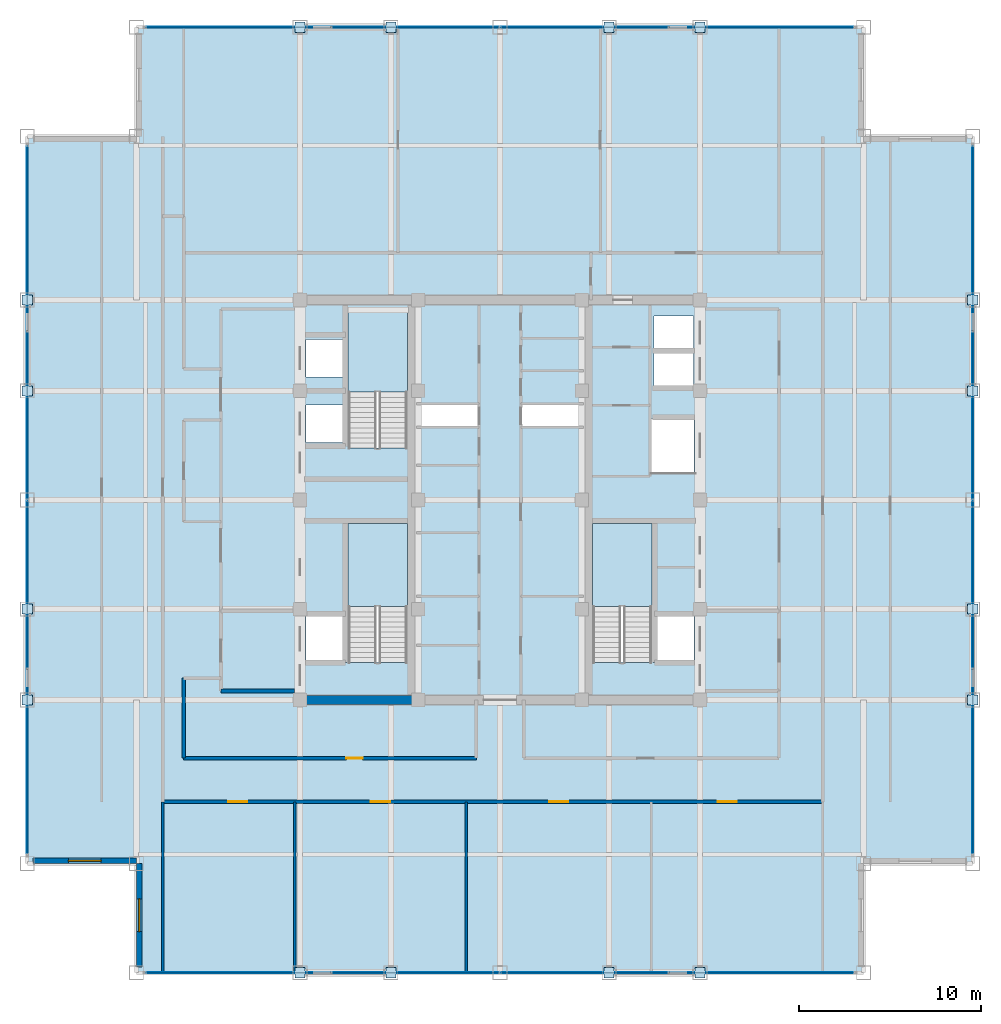
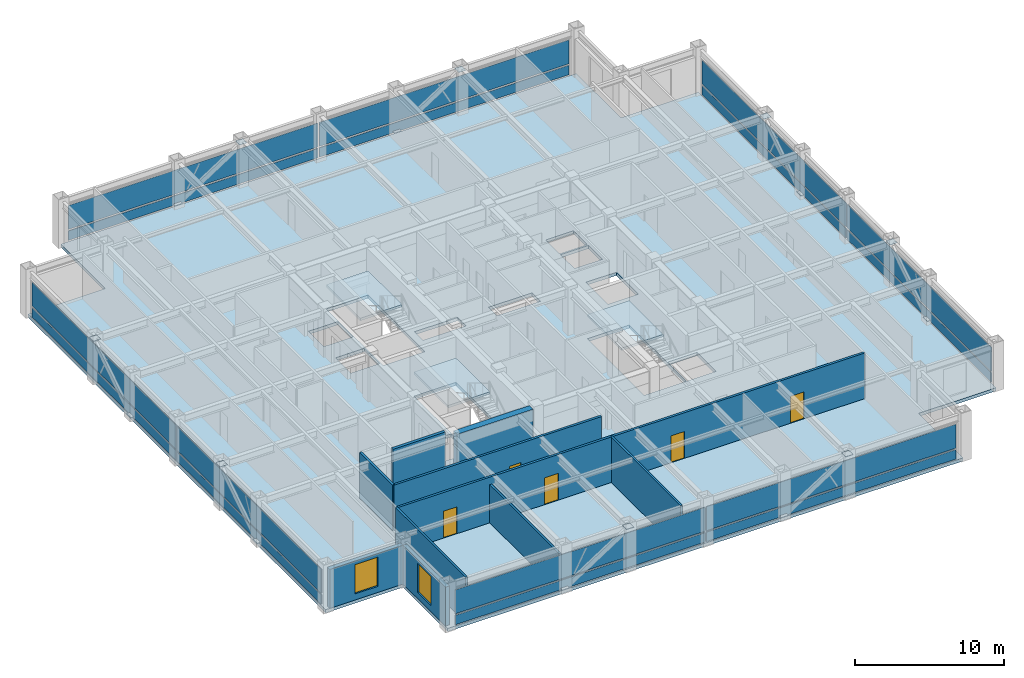
# One storey, part 23 of 28: 32 plates, 10 walls, 5 doors, 4 slabs, 2 windows, 7 openings, 7 elements without a shape of their own.
"""IFC4 building model written with IfcOpenShell, lengths in metres."""

from ifc_helpers import new_model, si_unit, direction, frame, frame_2d, origin, origin_2d, place, context, subcontext, project, spatial, polyline, rectangle, outline, extrude, source, transform, mapped, material, layer, layer_set, type_object, element, fill, aggregate, save


model = new_model("IFC4")

# Units and contexts
model_context = context("Model", 3, precision=1e-05, world=origin(), true_north=direction((0.0, 1.0)))
body_context = subcontext(model_context, "Body", "Model", "MODEL_VIEW")
ifc_project = project(units=[si_unit("LENGTHUNIT", "METRE"), si_unit("AREAUNIT", "SQUARE_METRE"), si_unit("VOLUMEUNIT", "CUBIC_METRE"), si_unit("PLANEANGLEUNIT", "RADIAN"), si_unit("MASSUNIT", "GRAM", prefix="KILO")], contexts=[model_context])

# Site, building, storey
site_placement = place(None, origin())
site = spatial("IfcSite", under=ifc_project, at=site_placement, CompositionType="ELEMENT")
building_placement = place(site_placement, origin())
building = spatial("IfcBuilding", under=site, at=building_placement, Name="Khorayat Bourse Tower", CompositionType="ELEMENT")
storey_placement = place(building_placement, frame((0.0, 0.0, 330.300048828125)))
storey = spatial("IfcBuildingStorey", under=building, at=storey_placement, Name="L78", CompositionType="ELEMENT", Elevation=330.300048828125)

# Stair, slab
ifc_material_1 = material(Name="Concrete C40/50", Category="concrete")
stair_type = type_object("IfcStairType", Name="STR-CORE-1550", PredefinedType="HALF_TURN_STAIR", material=ifc_material_1)
stair_1_placement = place(storey_placement, origin())
stair_1 = element("IfcStair", 1, at=stair_1_placement, inside=storey, type_object=stair_type, Name="L78 Exit Stair ST-1", PredefinedType="HALF_TURN_STAIR")
ifc_layer_1 = layer(ifc_material_1, 0.199951171875)
ifc_layer_set_1 = layer_set([ifc_layer_1], Name="Concrete C40/50")
slab_type_1 = type_object("IfcSlabType", Name="SLB-LANDING-200", PredefinedType="LANDING", material=ifc_layer_set_1)
slab_1_placement = place(storey_placement, frame((0.0, 0.0, 1.800048828125)))
slab_1 = element("IfcSlab", 2, at=slab_1_placement, type_object=slab_type_1, Name="ST-1 landing 1", PredefinedType="LANDING", context=body_context, shape_type="SweptSolid", body=[
    extrude(outline(polyline([(-5.10009765625, -5.8701171875), (-5.10009765625, -1.300048828125), (-8.35009765625, -1.300048828125), (-8.35009765625, -5.8701171875), (-5.10009765625, -5.8701171875)])), origin(), (0.0, 0.0, 1.0), 0.199951171875),
])
aggregate(stair_1, [slab_1])

stair_2_placement = place(storey_placement, origin())
stair_2 = element("IfcStair", 3, at=stair_2_placement, inside=storey, type_object=stair_type, Name="L78 Exit Stair ST-2", PredefinedType="HALF_TURN_STAIR")
slab_2_placement = place(storey_placement, frame((0.0, 0.0, 1.800048828125)))
slab_2 = element("IfcSlab", 4, at=slab_2_placement, type_object=slab_type_1, Name="ST-2 landing 1", PredefinedType="LANDING", context=body_context, shape_type="SweptSolid", body=[
    extrude(outline(polyline([(-5.10009765625, 5.929931640625), (-5.10009765625, 10.5), (-8.35009765625, 10.5), (-8.35009765625, 5.929931640625), (-5.10009765625, 5.929931640625)])), origin(), (0.0, 0.0, 1.0), 0.199951171875),
])
aggregate(stair_2, [slab_2])

stair_3_placement = place(storey_placement, origin())
stair_3 = element("IfcStair", 5, at=stair_3_placement, inside=storey, type_object=stair_type, Name="L78 Exit Stair ST-3", PredefinedType="HALF_TURN_STAIR")
slab_3_placement = place(storey_placement, frame((0.0, 0.0, 1.800048828125)))
slab_3 = element("IfcSlab", 6, at=slab_3_placement, type_object=slab_type_1, Name="ST-3 landing 1", PredefinedType="LANDING", context=body_context, shape_type="SweptSolid", body=[
    extrude(outline(polyline([(8.35009765625, -5.8701171875), (8.35009765625, -1.300048828125), (5.10009765625, -1.300048828125), (5.10009765625, -5.8701171875), (8.35009765625, -5.8701171875)])), origin(), (0.0, 0.0, 1.0), 0.199951171875),
])
aggregate(stair_3, [slab_3])

# Slab
ifc_layer_2 = layer(ifc_material_1, 0.219970703125)
ifc_layer_set_2 = layer_set([ifc_layer_2], Name="Concrete C40/50")
slab_type_2 = type_object("IfcSlabType", Name="SLB-OFFICE-220", PredefinedType="FLOOR", material=ifc_layer_set_2)
slab_4_placement = place(storey_placement, frame((0.0, 0.0, -0.260009765625)))
element("IfcSlab", 7, at=slab_4_placement, inside=storey, type_object=slab_type_2, Name="L78 Main Floor Slab", PredefinedType="FLOOR", context=body_context, shape_type="SweptSolid", body=[
    extrude(outline(polyline([(-20.0, -26.0), (20.0, -26.0), (20.0, -20.0), (26.0, -20.0), (26.0, 20.0), (20.0, 20.0), (20.0, 26.0), (-20.0, 26.0), (-20.0, 20.0), (-26.0, 20.0), (-26.0, -20.0), (-20.0, -20.0), (-20.0, -26.0)]), holes=[polyline([(-8.35009765625, -8.945068359375), (-5.10009765625, -8.945068359375), (-5.10009765625, -1.300048828125), (-8.35009765625, -1.300048828125), (-8.35009765625, -8.945068359375)]), polyline([(-8.35009765625, 2.85498046875), (-5.10009765625, 2.85498046875), (-5.10009765625, 10.5), (-8.35009765625, 10.5), (-8.35009765625, 2.85498046875)]), polyline([(5.10009765625, -8.945068359375), (8.35009765625, -8.945068359375), (8.35009765625, -1.300048828125), (5.10009765625, -1.300048828125), (5.10009765625, -8.945068359375)]), polyline([(-10.679931640625, 3.169921875), (-8.419921875, 3.169921875), (-8.419921875, 5.22998046875), (-10.679931640625, 5.22998046875), (-10.679931640625, 3.169921875)]), polyline([(-10.679931640625, 6.77001953125), (-8.419921875, 6.77001953125), (-8.419921875, 8.830078125), (-10.679931640625, 8.830078125), (-10.679931640625, 6.77001953125)]), polyline([(8.469970703125, 6.27001953125), (10.6298828125, 6.27001953125), (10.6298828125, 8.1298828125), (8.469970703125, 8.1298828125), (8.469970703125, 6.27001953125)]), polyline([(8.469970703125, 8.27001953125), (10.6298828125, 8.27001953125), (10.6298828125, 10.1298828125), (8.469970703125, 10.1298828125), (8.469970703125, 8.27001953125)]), polyline([(-10.679931640625, -8.929931640625), (-8.419921875, -8.929931640625), (-8.419921875, -6.3701171875), (-10.679931640625, -6.3701171875), (-10.679931640625, -8.929931640625)]), polyline([(8.419921875, -8.929931640625), (10.679931640625, -8.929931640625), (10.679931640625, -6.3701171875), (8.419921875, -6.3701171875), (8.419921875, -8.929931640625)]), polyline([(8.320068359375, 1.52001953125), (10.679931640625, 1.52001953125), (10.679931640625, 4.47998046875), (8.320068359375, 4.47998046875), (8.320068359375, 1.52001953125)]), polyline([(-4.56005859375, 4.080078125), (-1.18994140625, 4.080078125), (-1.18994140625, 5.219970703125), (-4.56005859375, 5.219970703125), (-4.56005859375, 4.080078125)]), polyline([(1.18994140625, 4.080078125), (4.56005859375, 4.080078125), (4.56005859375, 5.219970703125), (1.18994140625, 5.219970703125), (1.18994140625, 4.080078125)])]), origin(), (0.0, 0.0, 1.0), 0.260009765625),
])

# Plates
ifc_material_2 = material(Name="Steel EN 10025-2 S355J2", Category="steel")
ifc_layer_3 = layer(ifc_material_2, 0.02490234375)
ifc_layer_set_3 = layer_set([ifc_layer_3], Name="Steel EN 10025-2 S355J2")
plate_type_1 = type_object("IfcPlateType", Name="PLT-ENDCAP-25", PredefinedType="SHEET", material=ifc_layer_set_3)
shared_shape_1 = source(origin(), body_context, "Body", "SweptSolid", [
    extrude(rectangle(XDim=0.56005859375, YDim=0.56005859375, at=origin_2d()), origin(), (0.0, 0.0, 1.0), 0.02490234375),
])
for number, where, z_axis, x_axis, name in (
    (8, (-11.0, -26.0, 0.237548828125), (0.0, 0.0, 1.0), (1.0, 0.0, 0.0), "L78 Perimeter Brace End Plate 001"),
    (9, (-6.0, -26.0, 3.4775390625), (0.0, 0.0, 1.0), (1.0, 0.0, 0.0), "L78 Perimeter Brace End Plate 002"),
    (10, (6.0, -26.0, 0.237548828125), (0.0, 0.0, 1.0), (1.0, 0.0, 0.0), "L78 Perimeter Brace End Plate 003"),
    (11, (11.0, -26.0, 3.4775390625), (0.0, 0.0, 1.0), (1.0, 0.0, 0.0), "L78 Perimeter Brace End Plate 004"),
    (12, (-11.0, 26.0, 0.237548828125), (0.0, 0.0, 1.0), (1.0, 0.0, 0.0), "L78 Perimeter Brace End Plate 005"),
    (13, (-6.0, 26.0, 3.4775390625), (0.0, 0.0, 1.0), (1.0, 0.0, 0.0), "L78 Perimeter Brace End Plate 006"),
    (14, (6.0, 26.0, 0.237548828125), (0.0, 0.0, 1.0), (1.0, 0.0, 0.0), "L78 Perimeter Brace End Plate 007"),
    (15, (11.0, 26.0, 3.4775390625), (0.0, 0.0, 1.0), (1.0, 0.0, 0.0), "L78 Perimeter Brace End Plate 008"),
    (16, (-26.0, -11.0, 0.237548828125), (0.0, 0.0, 1.0), (1.0, 0.0, 0.0), "L78 Perimeter Brace End Plate 009"),
    (17, (-26.0, -6.0, 3.4775390625), (0.0, 0.0, 1.0), (1.0, 0.0, 0.0), "L78 Perimeter Brace End Plate 010"),
    (18, (-26.0, 6.0, 0.237548828125), (0.0, 0.0, 1.0), (1.0, 0.0, 0.0), "L78 Perimeter Brace End Plate 011"),
    (19, (-26.0, 11.0, 3.4775390625), (0.0, 0.0, 1.0), (1.0, 0.0, 0.0), "L78 Perimeter Brace End Plate 012"),
    (20, (26.0, -11.0, 0.237548828125), (0.0, 0.0, 1.0), (1.0, 0.0, 0.0), "L78 Perimeter Brace End Plate 013"),
    (21, (26.0, -6.0, 3.4775390625), (0.0, 0.0, 1.0), (1.0, 0.0, 0.0), "L78 Perimeter Brace End Plate 014"),
    (22, (26.0, 6.0, 0.237548828125), (0.0, 0.0, 1.0), (1.0, 0.0, 0.0), "L78 Perimeter Brace End Plate 015"),
    (23, (26.0, 11.0, 3.4775390625), (0.0, 0.0, 1.0), (1.0, 0.0, 0.0), "L78 Perimeter Brace End Plate 016"),
):
    element("IfcPlate", number, at=place(storey_placement, frame(where, z_axis=z_axis, x_axis=x_axis)), inside=storey, type_object=plate_type_1, Name=name, PredefinedType="SHEET", context=body_context, shape_type="MappedRepresentation", body=[
        mapped(shared_shape_1, transform((0.0, 0.0, 0.0), scale=1.0)),
    ])

# Curtain wall, plates
ifc_material_3 = material(Name="Aluminium EN AW-6063 T6", Category="aluminium")
curtain_wall_type = type_object("IfcCurtainWallType", Name="CW-SYS-04", PredefinedType="NOTDEFINED", material=ifc_material_3)
curtain_wall_1_placement = place(storey_placement, origin())
curtain_wall_1 = element("IfcCurtainWall", 24, at=curtain_wall_1_placement, inside=storey, type_object=curtain_wall_type, Name="L78 Curtain Wall CW-L78-S1", PredefinedType="NOTDEFINED")
ifc_material_4 = material(Name="Honed desert limestone insulated spandrel", Category="masonry")
ifc_layer_4 = layer(ifc_material_4, 0.06494140625)
ifc_layer_set_4 = layer_set([ifc_layer_4], Name="Honed desert limestone insulated spandrel")
plate_type_2 = type_object("IfcPlateType", Name="CWP-SPAND-03", PredefinedType="CURTAIN_PANEL", material=ifc_layer_set_4)
shared_shape_2 = source(origin(), body_context, "Body", "SweptSolid", [
    extrude(rectangle(XDim=19.3701171875, YDim=0.06494140625, at=origin_2d()), origin(), (0.0, 0.0, 1.0), 0.77001953125),
])
plate_1_placement = place(storey_placement, frame((-9.7451171875, -26.0, 0.119873046875), z_axis=(0.0, 0.0, 1.0), x_axis=(1.0, 0.0, 0.0)))
plate_1 = element("IfcPlate", 25, at=plate_1_placement, type_object=plate_type_2, Name="CW-L78-S1 Spandrel Panel 1-1", PredefinedType="CURTAIN_PANEL", context=body_context, shape_type="MappedRepresentation", body=[
    mapped(shared_shape_2, transform((0.0, 0.0, 0.0), scale=1.0)),
])
plate_2_placement = place(storey_placement, frame((9.7451171875, -26.0, 0.119873046875), z_axis=(0.0, 0.0, 1.0), x_axis=(1.0, 0.0, 0.0)))
plate_2 = element("IfcPlate", 26, at=plate_2_placement, type_object=plate_type_2, Name="CW-L78-S1 Spandrel Panel 2-1", PredefinedType="CURTAIN_PANEL", context=body_context, shape_type="MappedRepresentation", body=[
    mapped(shared_shape_2, transform((0.0, 0.0, 0.0), scale=1.0)),
])

curtain_wall_2_placement = place(storey_placement, origin())
curtain_wall_2 = element("IfcCurtainWall", 27, at=curtain_wall_2_placement, inside=storey, type_object=curtain_wall_type, Name="L78 Curtain Wall CW-L78-N1", PredefinedType="NOTDEFINED")
plate_3_placement = place(storey_placement, frame((-9.7451171875, 26.0, 0.119873046875), z_axis=(0.0, 0.0, 1.0), x_axis=(1.0, 0.0, 0.0)))
plate_3 = element("IfcPlate", 28, at=plate_3_placement, type_object=plate_type_2, Name="CW-L78-N1 Spandrel Panel 1-1", PredefinedType="CURTAIN_PANEL", context=body_context, shape_type="MappedRepresentation", body=[
    mapped(shared_shape_2, transform((0.0, 0.0, 0.0), scale=1.0)),
])
plate_4_placement = place(storey_placement, frame((9.7451171875, 26.0, 0.119873046875), z_axis=(0.0, 0.0, 1.0), x_axis=(1.0, 0.0, 0.0)))
plate_4 = element("IfcPlate", 29, at=plate_4_placement, type_object=plate_type_2, Name="CW-L78-N1 Spandrel Panel 2-1", PredefinedType="CURTAIN_PANEL", context=body_context, shape_type="MappedRepresentation", body=[
    mapped(shared_shape_2, transform((0.0, 0.0, 0.0), scale=1.0)),
])

curtain_wall_3_placement = place(storey_placement, origin())
curtain_wall_3 = element("IfcCurtainWall", 30, at=curtain_wall_3_placement, inside=storey, type_object=curtain_wall_type, Name="L78 Curtain Wall CW-L78-W1", PredefinedType="NOTDEFINED")
plate_5_placement = place(storey_placement, frame((-26.0, -9.7451171875, 0.119873046875), z_axis=(0.0, 0.0, 1.0), x_axis=(0.0, 1.0, 0.0)))
plate_5 = element("IfcPlate", 31, at=plate_5_placement, type_object=plate_type_2, Name="CW-L78-W1 Spandrel Panel 1-1", PredefinedType="CURTAIN_PANEL", context=body_context, shape_type="MappedRepresentation", body=[
    mapped(shared_shape_2, transform((0.0, 0.0, 0.0), scale=1.0)),
])
plate_6_placement = place(storey_placement, frame((-26.0, 9.7451171875, 0.119873046875), z_axis=(0.0, 0.0, 1.0), x_axis=(0.0, 1.0, 0.0)))
plate_6 = element("IfcPlate", 32, at=plate_6_placement, type_object=plate_type_2, Name="CW-L78-W1 Spandrel Panel 2-1", PredefinedType="CURTAIN_PANEL", context=body_context, shape_type="MappedRepresentation", body=[
    mapped(shared_shape_2, transform((0.0, 0.0, 0.0), scale=1.0)),
])

curtain_wall_4_placement = place(storey_placement, origin())
curtain_wall_4 = element("IfcCurtainWall", 33, at=curtain_wall_4_placement, inside=storey, type_object=curtain_wall_type, Name="L78 Curtain Wall CW-L78-E1", PredefinedType="NOTDEFINED")
plate_7_placement = place(storey_placement, frame((26.0, -9.7451171875, 0.119873046875), z_axis=(0.0, 0.0, 1.0), x_axis=(0.0, 1.0, 0.0)))
plate_7 = element("IfcPlate", 34, at=plate_7_placement, type_object=plate_type_2, Name="CW-L78-E1 Spandrel Panel 1-1", PredefinedType="CURTAIN_PANEL", context=body_context, shape_type="MappedRepresentation", body=[
    mapped(shared_shape_2, transform((0.0, 0.0, 0.0), scale=1.0)),
])
plate_8_placement = place(storey_placement, frame((26.0, 9.7451171875, 0.119873046875), z_axis=(0.0, 0.0, 1.0), x_axis=(0.0, 1.0, 0.0)))
plate_8 = element("IfcPlate", 35, at=plate_8_placement, type_object=plate_type_2, Name="CW-L78-E1 Spandrel Panel 2-1", PredefinedType="CURTAIN_PANEL", context=body_context, shape_type="MappedRepresentation", body=[
    mapped(shared_shape_2, transform((0.0, 0.0, 0.0), scale=1.0)),
])

# Plate
ifc_material_5 = material(Name="Low-E solar-control laminated double glazing", Category="glass")
ifc_layer_5 = layer(ifc_material_5, 0.0419921875)
ifc_layer_set_5 = layer_set([ifc_layer_5], Name="Low-E solar-control laminated double glazing")
plate_type_3 = type_object("IfcPlateType", Name="CWP-FACET-02", PredefinedType="CURTAIN_PANEL", material=ifc_layer_set_5)
shared_shape_3 = source(origin(), body_context, "Body", "SweptSolid", [
    extrude(rectangle(XDim=19.3701171875, YDim=0.0419921875, at=origin_2d()), origin(), (0.0, 0.0, 1.0), 1.9599609375),
])
plate_9_placement = place(storey_placement, frame((-9.7451171875, -26.0, 1.010009765625), z_axis=(0.0, 0.0, 1.0), x_axis=(1.0, 0.0, 0.0)))
plate_9 = element("IfcPlate", 36, at=plate_9_placement, type_object=plate_type_3, Name="CW-L78-S1 Vision Panel 1-2", PredefinedType="CURTAIN_PANEL", context=body_context, shape_type="MappedRepresentation", body=[
    mapped(shared_shape_3, transform((0.0, 0.0, 0.0), scale=1.0)),
])

plate_10_placement = place(storey_placement, frame((9.7451171875, -26.0, 1.010009765625), z_axis=(0.0, 0.0, 1.0), x_axis=(1.0, 0.0, 0.0)))
plate_10 = element("IfcPlate", 37, at=plate_10_placement, type_object=plate_type_3, Name="CW-L78-S1 Vision Panel 2-2", PredefinedType="CURTAIN_PANEL", context=body_context, shape_type="MappedRepresentation", body=[
    mapped(shared_shape_3, transform((0.0, 0.0, 0.0), scale=1.0)),
])

aggregate(curtain_wall_1, [plate_1, plate_9, plate_2, plate_10])

plate_11_placement = place(storey_placement, frame((-9.7451171875, 26.0, 1.010009765625), z_axis=(0.0, 0.0, 1.0), x_axis=(1.0, 0.0, 0.0)))
plate_11 = element("IfcPlate", 38, at=plate_11_placement, type_object=plate_type_3, Name="CW-L78-N1 Vision Panel 1-2", PredefinedType="CURTAIN_PANEL", context=body_context, shape_type="MappedRepresentation", body=[
    mapped(shared_shape_3, transform((0.0, 0.0, 0.0), scale=1.0)),
])

plate_12_placement = place(storey_placement, frame((9.7451171875, 26.0, 1.010009765625), z_axis=(0.0, 0.0, 1.0), x_axis=(1.0, 0.0, 0.0)))
plate_12 = element("IfcPlate", 39, at=plate_12_placement, type_object=plate_type_3, Name="CW-L78-N1 Vision Panel 2-2", PredefinedType="CURTAIN_PANEL", context=body_context, shape_type="MappedRepresentation", body=[
    mapped(shared_shape_3, transform((0.0, 0.0, 0.0), scale=1.0)),
])

aggregate(curtain_wall_2, [plate_3, plate_11, plate_4, plate_12])

plate_13_placement = place(storey_placement, frame((-26.0, -9.7451171875, 1.010009765625), z_axis=(0.0, 0.0, 1.0), x_axis=(0.0, 1.0, 0.0)))
plate_13 = element("IfcPlate", 40, at=plate_13_placement, type_object=plate_type_3, Name="CW-L78-W1 Vision Panel 1-2", PredefinedType="CURTAIN_PANEL", context=body_context, shape_type="MappedRepresentation", body=[
    mapped(shared_shape_3, transform((0.0, 0.0, 0.0), scale=1.0)),
])

plate_14_placement = place(storey_placement, frame((-26.0, 9.7451171875, 1.010009765625), z_axis=(0.0, 0.0, 1.0), x_axis=(0.0, 1.0, 0.0)))
plate_14 = element("IfcPlate", 41, at=plate_14_placement, type_object=plate_type_3, Name="CW-L78-W1 Vision Panel 2-2", PredefinedType="CURTAIN_PANEL", context=body_context, shape_type="MappedRepresentation", body=[
    mapped(shared_shape_3, transform((0.0, 0.0, 0.0), scale=1.0)),
])

aggregate(curtain_wall_3, [plate_5, plate_13, plate_6, plate_14])

plate_15_placement = place(storey_placement, frame((26.0, -9.7451171875, 1.010009765625), z_axis=(0.0, 0.0, 1.0), x_axis=(0.0, 1.0, 0.0)))
plate_15 = element("IfcPlate", 42, at=plate_15_placement, type_object=plate_type_3, Name="CW-L78-E1 Vision Panel 1-2", PredefinedType="CURTAIN_PANEL", context=body_context, shape_type="MappedRepresentation", body=[
    mapped(shared_shape_3, transform((0.0, 0.0, 0.0), scale=1.0)),
])

plate_16_placement = place(storey_placement, frame((26.0, 9.7451171875, 1.010009765625), z_axis=(0.0, 0.0, 1.0), x_axis=(0.0, 1.0, 0.0)))
plate_16 = element("IfcPlate", 43, at=plate_16_placement, type_object=plate_type_3, Name="CW-L78-E1 Vision Panel 2-2", PredefinedType="CURTAIN_PANEL", context=body_context, shape_type="MappedRepresentation", body=[
    mapped(shared_shape_3, transform((0.0, 0.0, 0.0), scale=1.0)),
])

aggregate(curtain_wall_4, [plate_7, plate_15, plate_8, plate_16])

# Wall
ifc_material_6 = material(Name="Concrete C52/65", Category="concrete")
ifc_layer_6 = layer(ifc_material_6, 0.5)
ifc_layer_set_6 = layer_set([ifc_layer_6], Name="Concrete C52/65")
wall_type_1 = type_object("IfcWallType", Name="WAL-CORE-500", PredefinedType="SHEAR", material=ifc_layer_set_6)
shared_shape_4 = source(origin(), body_context, "Body", "SweptSolid", [
    extrude(rectangle(XDim=5.89990234375, YDim=0.5, at=frame_2d((2.949951171875, 0.0))), origin(), (0.0, 0.0, 1.0), 3.739990234375),
])
wall_1_placement = place(storey_placement, frame((-10.75, -11.0, 0.0), z_axis=(0.0, 0.0, 1.0), x_axis=(1.0, 0.0, 0.0)))
element("IfcWall", 44, at=wall_1_placement, inside=storey, type_object=wall_type_1, Name="L78 Core Shear Wall PIER-WS", PredefinedType="SHEAR", context=body_context, shape_type="MappedRepresentation", body=[
    mapped(shared_shape_4, transform((0.0, 0.0, 0.0), scale=1.0)),
])

# Wall, opening, window
ifc_material_7 = material(Name="Precast concrete C45/55", Category="concrete")
ifc_layer_7 = layer(ifc_material_7, 0.320068359375)
ifc_layer_set_7 = layer_set([ifc_layer_7], Name="Precast concrete C45/55")
wall_type_2 = type_object("IfcWallType", Name="WAL-EXT-STONE-320", PredefinedType="STANDARD", material=ifc_layer_set_7)
shared_shape_5 = source(origin(), body_context, "Body", "SweptSolid", [
    extrude(rectangle(XDim=5.679931640625, YDim=0.320068359375, at=frame_2d((2.83984375, 0.0))), origin(), (0.0, 0.0, 1.0), 3.19091796875),
])
wall_2_placement = place(storey_placement, frame((-20.0, -19.840087890625, 0.0), z_axis=(0.0, 0.0, 1.0), x_axis=(-1.0, 0.0, 0.0)))
wall_2 = element("IfcWall", 45, at=wall_2_placement, inside=storey, type_object=wall_type_2, Name="L78 Re-Entrant Notch Limestone Wall SW-H", PredefinedType="STANDARD", context=body_context, shape_type="MappedRepresentation", body=[
    mapped(shared_shape_5, transform((0.0, 0.0, 0.0), scale=1.0)),
])
shared_shape_6 = source(origin(), body_context, "Body", "SweptSolid", [
    extrude(rectangle(XDim=1.800048828125, YDim=2.39990234375, at=frame_2d((0.89990234375, 1.199951171875))), frame((0.0, 0.169921875, 0.0), z_axis=(0.0, -1.0, 0.0), x_axis=(1.0, 0.0, 0.0)), (0.0, 0.0, 1.0), 0.340087890625),
])
opening_1_placement = place(wall_2_placement, frame((1.93994140625, 0.0, 0.5)))
opening_1 = element("IfcOpeningElement", 46, at=opening_1_placement, cuts=wall_2, Name="Opening WN-04", PredefinedType="OPENING", context=body_context, shape_type="MappedRepresentation", body=[
    mapped(shared_shape_6, transform((0.0, 0.0, 0.0), scale=1.0)),
])
ifc_material_8 = material(Name="Low-E acoustic laminated double glazing", Category="glass")
window_type = type_object("IfcWindowType", Name="WIN-NOTCH-1800x2400", PartitioningType="SINGLE_PANEL", PredefinedType="WINDOW", material=ifc_material_8)
shared_shape_7 = source(origin(), body_context, "Body", "SweptSolid", [
    extrude(rectangle(XDim=1.800048828125, YDim=2.39990234375, at=frame_2d((0.89990234375, 1.199951171875))), frame((0.0, 0.030029296875, 0.0), z_axis=(0.0, -1.0, 0.0), x_axis=(1.0, 0.0, 0.0)), (0.0, 0.0, 1.0), 0.06005859375),
])
window_1_placement = place(opening_1_placement, origin())
window_1 = element("IfcWindow", 47, at=window_1_placement, inside=storey, type_object=window_type, Name="L78 Facade Window 1", OverallHeight=2.39990234375, OverallWidth=1.800048828125, PartitioningType="SINGLE_PANEL", PredefinedType="WINDOW", context=body_context, shape_type="MappedRepresentation", body=[
    mapped(shared_shape_7, transform((0.0, 0.0, 0.0), scale=1.0)),
])
fill(opening_1, window_1)

wall_3_placement = place(storey_placement, frame((-19.840087890625, -25.679931640625, 0.0), z_axis=(0.0, 0.0, 1.0), x_axis=(0.0, 1.0, 0.0)))
wall_3 = element("IfcWall", 48, at=wall_3_placement, inside=storey, type_object=wall_type_2, Name="L78 Re-Entrant Notch Limestone Wall SW-V", PredefinedType="STANDARD", context=body_context, shape_type="MappedRepresentation", body=[
    mapped(shared_shape_5, transform((0.0, 0.0, 0.0), scale=1.0)),
])
opening_2_placement = place(wall_3_placement, frame((1.93994140625, 0.0, 0.5)))
opening_2 = element("IfcOpeningElement", 49, at=opening_2_placement, cuts=wall_3, Name="Opening WN-04", PredefinedType="OPENING", context=body_context, shape_type="MappedRepresentation", body=[
    mapped(shared_shape_6, transform((0.0, 0.0, 0.0), scale=1.0)),
])
window_2_placement = place(opening_2_placement, origin())
window_2 = element("IfcWindow", 50, at=window_2_placement, inside=storey, type_object=window_type, Name="L78 Facade Window 1", OverallHeight=2.39990234375, OverallWidth=1.800048828125, PartitioningType="SINGLE_PANEL", PredefinedType="WINDOW", context=body_context, shape_type="MappedRepresentation", body=[
    mapped(shared_shape_7, transform((0.0, 0.0, 0.0), scale=1.0)),
])
fill(opening_2, window_2)

# Wall
ifc_material_9 = material(Name="Aerated concrete blockwork", Category="masonry")
ifc_layer_8 = layer(ifc_material_9, 0.219970703125)
ifc_layer_set_8 = layer_set([ifc_layer_8], Name="Aerated concrete blockwork")
wall_type_3 = type_object("IfcWallType", Name="WAL-PART-FF-220", PredefinedType="PARTITIONING", material=ifc_layer_set_8)
shared_shape_8 = source(origin(), body_context, "Body", "SweptSolid", [
    extrude(rectangle(XDim=4.050048828125, YDim=0.219970703125, at=frame_2d((2.02490234375, 0.0))), origin(), (0.0, 0.0, 1.0), 3.739990234375),
])
wall_4_placement = place(storey_placement, frame((-15.35009765625, -10.5, 0.0), z_axis=(0.0, 0.0, 1.0), x_axis=(1.0, 0.0, 0.0)))
element("IfcWall", 51, at=wall_4_placement, inside=storey, type_object=wall_type_3, Name="L78 Partition WAL-L78-FFLW-S", PredefinedType="PARTITIONING", context=body_context, shape_type="MappedRepresentation", body=[
    mapped(shared_shape_8, transform((0.0, 0.0, 0.0), scale=1.0)),
])

# Wall, opening, door
ifc_material_10 = material(Name="Gypsum plasterboard acoustic stud wall")
ifc_layer_9 = layer(ifc_material_10, 0.179931640625)
ifc_layer_set_9 = layer_set([ifc_layer_9], Name="Gypsum plasterboard acoustic stud wall")
wall_type_4 = type_object("IfcWallType", Name="WAL-PART-CORR-180", PredefinedType="PARTITIONING", material=ifc_layer_set_9)
shared_shape_9 = source(origin(), body_context, "Body", "SweptSolid", [
    extrude(rectangle(XDim=16.099853515625, YDim=0.179931640625, at=frame_2d((8.0498046875, 0.0))), origin(), (0.0, 0.0, 1.0), 3.739990234375),
])
wall_5_placement = place(storey_placement, frame((-17.39990234375, -14.199951171875, 0.0), z_axis=(0.0, 0.0, 1.0), x_axis=(1.0, 0.0, 0.0)))
wall_5 = element("IfcWall", 52, at=wall_5_placement, inside=storey, type_object=wall_type_4, Name="L78 Partition WAL-L78-PKSW-S", PredefinedType="PARTITIONING", context=body_context, shape_type="MappedRepresentation", body=[
    mapped(shared_shape_9, transform((0.0, 0.0, 0.0), scale=1.0)),
])
shared_shape_10 = source(origin(), body_context, "Body", "SweptSolid", [
    extrude(rectangle(XDim=0.89990234375, YDim=2.14990234375, at=frame_2d((0.449951171875, 1.074951171875))), frame((0.0, 0.099853515625, 0.0), z_axis=(0.0, -1.0, 0.0), x_axis=(1.0, 0.0, 0.0)), (0.0, 0.0, 1.0), 0.199951171875),
])
opening_3_placement = place(wall_5_placement, frame((8.949951171875, 0.0, 0.0)))
opening_3 = element("IfcOpeningElement", 53, at=opening_3_placement, cuts=wall_5, Name="Opening DI-06", PredefinedType="OPENING", context=body_context, shape_type="MappedRepresentation", body=[
    mapped(shared_shape_10, transform((0.0, 0.0, 0.0), scale=1.0)),
])
ifc_material_11 = material(Name="Moisture-resistant laminate washroom door")
door_type_1 = type_object("IfcDoorType", Name="DR-INT-WC-900", OperationType="NOTDEFINED", PredefinedType="DOOR", material=ifc_material_11)
shared_shape_11 = source(origin(), body_context, "Body", "SweptSolid", [
    extrude(rectangle(XDim=0.89990234375, YDim=2.14990234375, at=frame_2d((0.449951171875, 1.074951171875))), frame((0.0, 0.02490234375, 0.0), z_axis=(0.0, -1.0, 0.0), x_axis=(1.0, 0.0, 0.0)), (0.0, 0.0, 1.0), 0.050048828125),
])
door_1_placement = place(opening_3_placement, origin())
door_1 = element("IfcDoor", 54, at=door_1_placement, inside=storey, type_object=door_type_1, Name="L78 SW Inboard Pantry Door", OperationType="SINGLE_SWING_LEFT", OverallHeight=2.14990234375, OverallWidth=0.89990234375, PredefinedType="DOOR", context=body_context, shape_type="MappedRepresentation", body=[
    mapped(shared_shape_11, transform((0.0, 0.0, 0.0), scale=1.0)),
])
fill(opening_3, door_1)

# Walls
shared_shape_12 = source(origin(), body_context, "Body", "SweptSolid", [
    extrude(rectangle(XDim=4.39990234375, YDim=0.179931640625, at=frame_2d((2.199951171875, 0.0))), origin(), (0.0, 0.0, 1.0), 3.739990234375),
])
wall_6_placement = place(storey_placement, frame((-17.39990234375, -14.199951171875, 0.0), z_axis=(0.0, 0.0, 1.0), x_axis=(0.0, 1.0, 0.0)))
element("IfcWall", 55, at=wall_6_placement, inside=storey, type_object=wall_type_4, Name="L78 Partition WAL-L78-PKSW-W", PredefinedType="PARTITIONING", context=body_context, shape_type="MappedRepresentation", body=[
    mapped(shared_shape_12, transform((0.0, 0.0, 0.0), scale=1.0)),
])
ifc_material_12 = material(Name="Gypsum plasterboard twin-frame partition")
ifc_layer_10 = layer(ifc_material_12, 0.14990234375)
ifc_layer_set_10 = layer_set([ifc_layer_10], Name="Gypsum plasterboard twin-frame partition")
wall_type_5 = type_object("IfcWallType", Name="WAL-PART-SUITE-150", PredefinedType="PARTITIONING", material=ifc_layer_set_10)
shared_shape_13 = source(origin(), body_context, "Body", "SweptSolid", [
    extrude(rectangle(XDim=9.39990234375, YDim=0.14990234375, at=frame_2d((4.699951171875, 0.0))), origin(), (0.0, 0.0, 1.0), 3.1240234375),
])
wall_7_placement = place(storey_placement, frame((-11.2900390625, -26.0, 0.0), z_axis=(0.0, 0.0, 1.0), x_axis=(0.0, 1.0, 0.0)))
element("IfcWall", 56, at=wall_7_placement, inside=storey, type_object=wall_type_5, Name="L78 Partition WAL-L78-SDV-1", PredefinedType="PARTITIONING", context=body_context, shape_type="MappedRepresentation", body=[
    mapped(shared_shape_13, transform((0.0, 0.0, 0.0), scale=1.0)),
])
shared_shape_14 = source(origin(), body_context, "Body", "SweptSolid", [
    extrude(rectangle(XDim=9.39990234375, YDim=0.14990234375, at=frame_2d((4.699951171875, 0.0))), origin(), (0.0, 0.0, 1.0), 3.739990234375),
])
for number, where, z_axis, x_axis, name in (
    (57, (-1.85205078125, -26.0, 0.0), (0.0, 0.0, 1.0), (0.0, 1.0, 0.0), "L78 Partition WAL-L78-SDV-2"),
    (58, (-18.550048828125, -26.0, 0.0), (0.0, 0.0, 1.0), (0.0, 1.0, 0.0), "L78 Partition WAL-L78-SCW-END"),
):
    element("IfcWall", number, at=place(storey_placement, frame(where, z_axis=z_axis, x_axis=x_axis)), inside=storey, type_object=wall_type_5, Name=name, PredefinedType="PARTITIONING", context=body_context, shape_type="MappedRepresentation", body=[
        mapped(shared_shape_14, transform((0.0, 0.0, 0.0), scale=1.0)),
    ])

# Wall, openings, doors
shared_shape_15 = source(origin(), body_context, "Body", "SweptSolid", [
    extrude(rectangle(XDim=36.300048828125, YDim=0.179931640625, at=frame_2d((18.14990234375, 0.0))), origin(), (0.0, 0.0, 1.0), 3.739990234375),
])
wall_8_placement = place(storey_placement, frame((-18.550048828125, -16.60009765625, 0.0), z_axis=(0.0, 0.0, 1.0), x_axis=(1.0, 0.0, 0.0)))
wall_8 = element("IfcWall", 59, at=wall_8_placement, inside=storey, type_object=wall_type_4, Name="L78 Partition WAL-L78-SCORR", PredefinedType="PARTITIONING", context=body_context, shape_type="MappedRepresentation", body=[
    mapped(shared_shape_15, transform((0.0, 0.0, 0.0), scale=1.0)),
])
shared_shape_16 = source(origin(), body_context, "Body", "SweptSolid", [
    extrude(rectangle(XDim=1.050048828125, YDim=2.199951171875, at=frame_2d((0.52490234375, 1.10009765625))), frame((0.0, 0.099853515625, 0.0), z_axis=(0.0, -1.0, 0.0), x_axis=(1.0, 0.0, 0.0)), (0.0, 0.0, 1.0), 0.199951171875),
])
opening_4_placement = place(wall_8_placement, frame((3.60498046875, 0.0, 0.0)))
opening_4 = element("IfcOpeningElement", 60, at=opening_4_placement, cuts=wall_8, Name="Opening DI-04", PredefinedType="OPENING", context=body_context, shape_type="MappedRepresentation", body=[
    mapped(shared_shape_16, transform((0.0, 0.0, 0.0), scale=1.0)),
])
opening_5_placement = place(wall_8_placement, frame((11.4541015625, 0.0, 0.0)))
opening_5 = element("IfcOpeningElement", 61, at=opening_5_placement, cuts=wall_8, Name="Opening DI-04", PredefinedType="OPENING", context=body_context, shape_type="MappedRepresentation", body=[
    mapped(shared_shape_16, transform((0.0, 0.0, 0.0), scale=1.0)),
])
opening_6_placement = place(wall_8_placement, frame((21.2548828125, 0.0, 0.0)))
opening_6 = element("IfcOpeningElement", 62, at=opening_6_placement, cuts=wall_8, Name="Opening DI-04", PredefinedType="OPENING", context=body_context, shape_type="MappedRepresentation", body=[
    mapped(shared_shape_16, transform((0.0, 0.0, 0.0), scale=1.0)),
])
opening_7_placement = place(wall_8_placement, frame((30.531005859375, 0.0, 0.0)))
opening_7 = element("IfcOpeningElement", 63, at=opening_7_placement, cuts=wall_8, Name="Opening DI-04", PredefinedType="OPENING", context=body_context, shape_type="MappedRepresentation", body=[
    mapped(shared_shape_16, transform((0.0, 0.0, 0.0), scale=1.0)),
])
ifc_material_13 = material(Name="Fire-rated oak veneer suite entrance door")
door_type_2 = type_object("IfcDoorType", Name="DR-INT-SUITE-1050", OperationType="NOTDEFINED", PredefinedType="DOOR", material=ifc_material_13)
shared_shape_17 = source(origin(), body_context, "Body", "SweptSolid", [
    extrude(rectangle(XDim=1.050048828125, YDim=2.199951171875, at=frame_2d((0.52490234375, 1.10009765625))), frame((0.0, 0.02490234375, 0.0), z_axis=(0.0, -1.0, 0.0), x_axis=(1.0, 0.0, 0.0)), (0.0, 0.0, 1.0), 0.050048828125),
])
door_2_placement = place(opening_4_placement, origin())
door_2 = element("IfcDoor", 64, at=door_2_placement, inside=storey, type_object=door_type_2, Name="L78 Equities Trading Desk S1 Door", OperationType="SINGLE_SWING_RIGHT", OverallHeight=2.199951171875, OverallWidth=1.050048828125, PredefinedType="DOOR", context=body_context, shape_type="MappedRepresentation", body=[
    mapped(shared_shape_17, transform((0.0, 0.0, 0.0), scale=1.0)),
])
fill(opening_4, door_2)
door_3_placement = place(opening_5_placement, origin())
door_3 = element("IfcDoor", 65, at=door_3_placement, inside=storey, type_object=door_type_2, Name="L78 Clearing Operations Office S2 Door", OperationType="SINGLE_SWING_LEFT", OverallHeight=2.199951171875, OverallWidth=1.050048828125, PredefinedType="DOOR", context=body_context, shape_type="MappedRepresentation", body=[
    mapped(shared_shape_17, transform((0.0, 0.0, 0.0), scale=1.0)),
])
fill(opening_5, door_3)
door_4_placement = place(opening_6_placement, origin())
door_4 = element("IfcDoor", 66, at=door_4_placement, inside=storey, type_object=door_type_2, Name="L78 Market Risk Analytics Workspace S3 Door", OperationType="SINGLE_SWING_RIGHT", OverallHeight=2.199951171875, OverallWidth=1.050048828125, PredefinedType="DOOR", context=body_context, shape_type="MappedRepresentation", body=[
    mapped(shared_shape_17, transform((0.0, 0.0, 0.0), scale=1.0)),
])
fill(opening_6, door_4)
door_5_placement = place(opening_7_placement, origin())
door_5 = element("IfcDoor", 67, at=door_5_placement, inside=storey, type_object=door_type_2, Name="L78 Equities Trading Desk S4 Door", OperationType="SINGLE_SWING_LEFT", OverallHeight=2.199951171875, OverallWidth=1.050048828125, PredefinedType="DOOR", context=body_context, shape_type="MappedRepresentation", body=[
    mapped(shared_shape_17, transform((0.0, 0.0, 0.0), scale=1.0)),
])
fill(opening_7, door_5)

save(model, "model.ifc")
